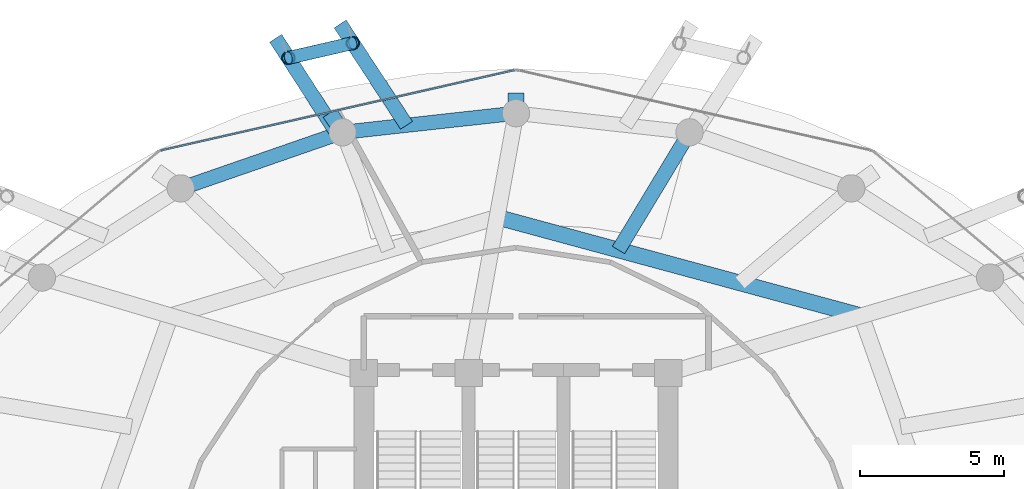
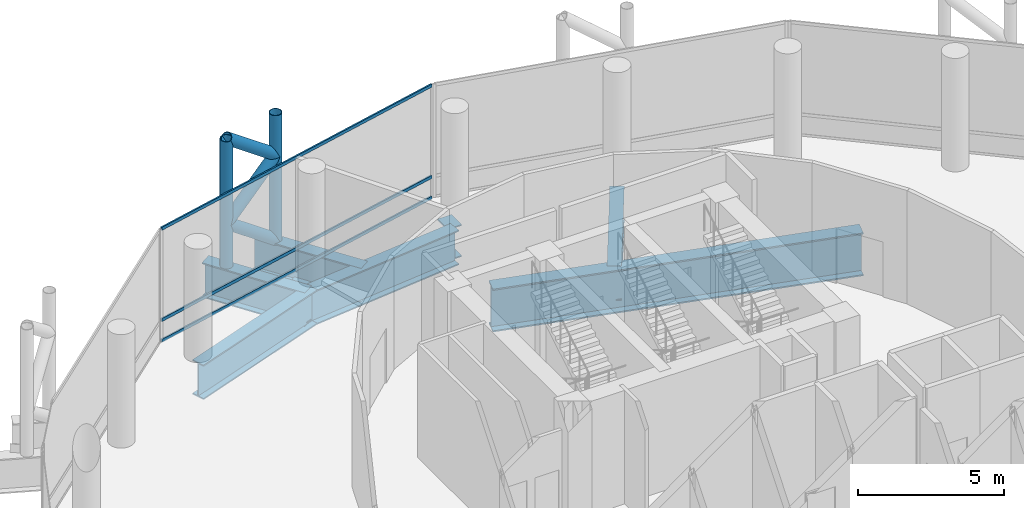
# One storey, part 16 of 29: 8 beams, 8 members, 1 element without a shape of its own.
"""IFC4 building model written with IfcOpenShell, lengths in metres."""

from ifc_helpers import new_model, si_unit, direction, frame, origin, origin_2d, place, context, subcontext, project, spatial, hollow_rectangle, hollow_circle, i_section, extrude, material, layer, layer_set, material_profile, profile_set, type_object, element, aggregate, save


model = new_model("IFC4")

# Units and contexts
model_context = context("Model", 3, precision=1e-05, world=origin(), true_north=direction((0.0, 1.0)))
body_context = subcontext(model_context, "Body", "Model", "MODEL_VIEW")
ifc_project = project(units=[si_unit("LENGTHUNIT", "METRE"), si_unit("AREAUNIT", "SQUARE_METRE"), si_unit("VOLUMEUNIT", "CUBIC_METRE"), si_unit("PLANEANGLEUNIT", "RADIAN"), si_unit("MASSUNIT", "GRAM", prefix="KILO")], contexts=[model_context])

# Site, building, storey
site_placement = place(None, origin())
site = spatial("IfcSite", under=ifc_project, at=site_placement, CompositionType="ELEMENT")
building_placement = place(site_placement, origin())
building = spatial("IfcBuilding", under=site, at=building_placement, Name="Nuhasar Tower", CompositionType="ELEMENT")
storey_placement = place(building_placement, frame((0.0, 0.0, 113.25)))
storey = spatial("IfcBuildingStorey", under=building, at=storey_placement, Name="L26", CompositionType="ELEMENT", Elevation=113.25)

# Beams
ifc_material_1 = material(Name="Steel S460", Category="steel")
ifc_material_profile_1 = material_profile(ifc_material_1, i_section(OverallWidth=0.550048828125, OverallDepth=1.35009765625, WebThickness=0.028076171875, FlangeThickness=0.050048828125, at=origin_2d()), Name="PG1350X550")
ifc_profile_set_1 = profile_set([ifc_material_profile_1], Name="Steel S460")
beam_type_1 = type_object("IfcBeamType", Name="BM-XFER-PG1350", PredefinedType="USERDEFINED", material=ifc_profile_set_1)
beam_1_placement = place(storey_placement, frame((39.0, 46.35009765625, -0.9951171875), z_axis=(0.0, 1.0, 0.0), x_axis=(-1.0, 0.0, 0.0)))
element("IfcBeam", 1, at=beam_1_placement, inside=storey, type_object=beam_type_1, Name="L26 Radial Step Transfer Girder 06", ObjectType="GIRDER", PredefinedType="USERDEFINED", context=body_context, shape_type="SweptSolid", body=[
    extrude(i_section(OverallWidth=0.550048828125, OverallDepth=1.35009765625, WebThickness=0.028076171875, FlangeThickness=0.050048828125, at=origin_2d()), origin(), (0.0, 0.0, 1.0), 0.699951171875),
])
beam_2_placement = place(storey_placement, frame((32.95703125, 45.68408203125, -0.9951171875), z_axis=(-0.545445760903, 0.838146122053, 0.0), x_axis=(-0.838146122053, -0.545445760903, 0.0)))
element("IfcBeam", 2, at=beam_2_placement, inside=storey, type_object=beam_type_1, Name="L26 Outer Column Step Transfer Girder 08", ObjectType="GIRDER", PredefinedType="USERDEFINED", context=body_context, shape_type="SweptSolid", body=[
    extrude(i_section(OverallWidth=0.550048828125, OverallDepth=1.35009765625, WebThickness=0.028076171875, FlangeThickness=0.050048828125, at=origin_2d()), origin(), (0.0, 0.0, 1.0), 0.806640625),
])
ifc_material_profile_2 = material_profile(ifc_material_1, i_section(OverallWidth=0.5, OverallDepth=1.449951171875, WebThickness=0.028076171875, FlangeThickness=0.050048828125, at=origin_2d()), Name="PG1450X500")
ifc_profile_set_2 = profile_set([ifc_material_profile_2], Name="Steel S460")
beam_type_2 = type_object("IfcBeamType", Name="BM-XFER-PG1450", PredefinedType="USERDEFINED", material=ifc_profile_set_2)
beam_3_placement = place(storey_placement, frame((39.0, 46.35009765625, -1.044921875), z_axis=(-0.993981289157, -0.109549974015, 0.0), x_axis=(0.109549974015, -0.993981289157, 0.0)))
element("IfcBeam", 3, at=beam_3_placement, inside=storey, type_object=beam_type_2, Name="L26 Perimeter Ring Spandrel 07", ObjectType="GIRDER", PredefinedType="USERDEFINED", context=body_context, shape_type="SweptSolid", body=[
    extrude(i_section(OverallWidth=0.5, OverallDepth=1.449951171875, WebThickness=0.028076171875, FlangeThickness=0.050048828125, at=origin_2d()), origin(), (0.0, 0.0, 1.0), 6.07958984375),
])
beam_4_placement = place(storey_placement, frame((32.95703125, 45.68408203125, -1.044921875), z_axis=(-0.944801380051, -0.327643636066, 0.0), x_axis=(0.327643636066, -0.944801380051, 0.0)))
element("IfcBeam", 4, at=beam_4_placement, inside=storey, type_object=beam_type_2, Name="L26 Perimeter Ring Spandrel 08", ObjectType="GIRDER", PredefinedType="USERDEFINED", context=body_context, shape_type="SweptSolid", body=[
    extrude(i_section(OverallWidth=0.5, OverallDepth=1.449951171875, WebThickness=0.028076171875, FlangeThickness=0.050048828125, at=origin_2d()), origin(), (0.0, 0.0, 1.0), 5.961181640625),
])
beam_5_placement = place(storey_placement, frame((42.569091796875, 41.5849609375, -1.044921875), z_axis=(0.516706214587, 0.856162769458, 0.0), x_axis=(-0.856162769458, 0.516706214587, 0.0)))
element("IfcBeam", 5, at=beam_5_placement, inside=storey, type_object=beam_type_2, Name="L26 Inner Column Transfer Girder 06", ObjectType="GIRDER", PredefinedType="USERDEFINED", context=body_context, shape_type="SweptSolid", body=[
    extrude(i_section(OverallWidth=0.5, OverallDepth=1.449951171875, WebThickness=0.028076171875, FlangeThickness=0.050048828125, at=origin_2d()), origin(), (0.0, 0.0, 1.0), 4.787841796875),
])
beam_6_placement = place(storey_placement, frame((35.18701171875, 45.929931640625, -1.044921875), z_axis=(-0.547843326941, 0.836580951926, 0.0), x_axis=(-0.836580951926, -0.547843326941, 0.0)))
element("IfcBeam", 6, at=beam_6_placement, inside=storey, type_object=beam_type_2, Name="L26 Exoskeleton Step Transfer Girder 07", ObjectType="GIRDER", PredefinedType="USERDEFINED", context=body_context, shape_type="SweptSolid", body=[
    extrude(i_section(OverallWidth=0.5, OverallDepth=1.449951171875, WebThickness=0.028076171875, FlangeThickness=0.050048828125, at=origin_2d()), origin(), (0.0, 0.0, 1.0), 4.218505859375),
])
beam_7_placement = place(storey_placement, frame((32.784912109375, 45.6240234375, -1.044921875), z_axis=(-0.542626647009, 0.839974000762, 0.0), x_axis=(-0.839974000762, -0.542626647009, 0.0)))
element("IfcBeam", 7, at=beam_7_placement, inside=storey, type_object=beam_type_2, Name="L26 Exoskeleton Step Transfer Girder 08", ObjectType="GIRDER", PredefinedType="USERDEFINED", context=body_context, shape_type="SweptSolid", body=[
    extrude(i_section(OverallWidth=0.5, OverallDepth=1.449951171875, WebThickness=0.028076171875, FlangeThickness=0.050048828125, at=origin_2d()), origin(), (0.0, 0.0, 1.0), 3.971435546875),
])
ifc_material_profile_3 = material_profile(ifc_material_1, i_section(OverallWidth=0.550048828125, OverallDepth=1.800048828125, WebThickness=0.031982421875, FlangeThickness=0.054931640625, at=origin_2d()), Name="PG1800X550")
ifc_profile_set_3 = profile_set([ifc_material_profile_3], Name="Steel S460")
beam_type_3 = type_object("IfcBeamType", Name="BM-XFER-PG1800", PredefinedType="USERDEFINED", material=ifc_profile_set_3)
beam_8_placement = place(storey_placement, frame((51.027099609375, 39.2939453125, -1.219970703125), z_axis=(-0.96522695776, 0.261413312618, 0.0), x_axis=(-0.261413312618, -0.96522695776, 0.0)))
element("IfcBeam", 8, at=beam_8_placement, inside=storey, type_object=beam_type_3, Name="L26 Inner Header Beam 05", ObjectType="GIRDER", PredefinedType="USERDEFINED", context=body_context, shape_type="SweptSolid", body=[
    extrude(i_section(OverallWidth=0.550048828125, OverallDepth=1.800048828125, WebThickness=0.031982421875, FlangeThickness=0.054931640625, at=origin_2d()), origin(), (0.0, 0.0, 1.0), 13.14404296875),
])

# Curtain wall, members
ifc_material_2 = material(Name="Aluminium 6063-T6", Category="aluminium")
ifc_layer = layer(ifc_material_2, 0.239990234375)
ifc_layer_set = layer_set([ifc_layer], Name="Aluminium 6063-T6")
curtain_wall_type = type_object("IfcCurtainWallType", Name="CW-SKY-LBY", PredefinedType="NOTDEFINED", material=ifc_layer_set)
curtain_wall_placement = place(storey_placement, origin())
curtain_wall = element("IfcCurtainWall", 9, at=curtain_wall_placement, inside=storey, type_object=curtain_wall_type, Name="L26 Unitised Curtain Wall 04", PredefinedType="NOTDEFINED")
ifc_material_profile_4 = material_profile(ifc_material_2, hollow_rectangle(XDim=0.06005859375, YDim=0.1298828125, WallThickness=0.00439453125, at=origin_2d()), Name="CWT-6")
ifc_profile_set_4 = profile_set([ifc_material_profile_4], Name="Aluminium 6063-T6")
member_type_1 = type_object("IfcMemberType", Name="CW-TRN-S6", PredefinedType="USERDEFINED", material=ifc_profile_set_4)
member_1_placement = place(storey_placement, frame((38.94140625, 47.8466796875, 0.030029296875), z_axis=(-0.975184113365, -0.221395449459, 0.0), x_axis=(0.221395449459, -0.975184113365, 0.0)))
member_1 = element("IfcMember", 10, at=member_1_placement, type_object=member_type_1, Name="CW-SL transom 1.1", ObjectType="TRANSOM", PredefinedType="USERDEFINED", context=body_context, shape_type="SweptSolid", body=[
    extrude(hollow_rectangle(XDim=0.06005859375, YDim=0.1298828125, WallThickness=0.00439453125, at=origin_2d()), origin(), (0.0, 0.0, 1.0), 12.626220703125),
])
member_2_placement = place(storey_placement, frame((38.94140625, 47.8466796875, 0.89990234375), z_axis=(-0.975184113365, -0.221395449459, 0.0), x_axis=(0.221395449459, -0.975184113365, 0.0)))
member_2 = element("IfcMember", 11, at=member_2_placement, type_object=member_type_1, Name="CW-SL transom 1.2", ObjectType="TRANSOM", PredefinedType="USERDEFINED", context=body_context, shape_type="SweptSolid", body=[
    extrude(hollow_rectangle(XDim=0.06005859375, YDim=0.1298828125, WallThickness=0.00439453125, at=origin_2d()), origin(), (0.0, 0.0, 1.0), 12.626220703125),
])
member_3_placement = place(storey_placement, frame((38.94140625, 47.8466796875, 4.719970703125), z_axis=(-0.975184113365, -0.221395449459, 0.0), x_axis=(0.221395449459, -0.975184113365, 0.0)))
member_3 = element("IfcMember", 12, at=member_3_placement, type_object=member_type_1, Name="CW-SL transom 1.3", ObjectType="TRANSOM", PredefinedType="USERDEFINED", context=body_context, shape_type="SweptSolid", body=[
    extrude(hollow_rectangle(XDim=0.06005859375, YDim=0.1298828125, WallThickness=0.00439453125, at=origin_2d()), origin(), (0.0, 0.0, 1.0), 12.626220703125),
])
aggregate(curtain_wall, [member_1, member_2, member_3])

# Members
ifc_material_profile_5 = material_profile(ifc_material_1, hollow_circle(Radius=0.228515625, WallThickness=0.022216796875, at=origin_2d()), Name="HSS457X22.2")
ifc_profile_set_5 = profile_set([ifc_material_profile_5], Name="Steel S460")
member_type_2 = type_object("IfcMemberType", Name="EXO-BRONZE-457", PredefinedType="BRACE", material=ifc_profile_set_5)
for number, where, z_axis, x_axis, name in (
    (13, (33.31396484375, 48.7900390625, -0.320068359375), (0.0, 0.0, 1.0), (1.0, 0.0, 0.0), "L26 Exoskeleton Chord Column EC-04A"),
    (14, (31.072021484375, 48.27587890625, -0.320068359375), (0.0, 0.0, 1.0), (1.0, 0.0, 0.0), "L26 Exoskeleton Chord Column EC-04B"),
):
    element("IfcMember", number, at=place(storey_placement, frame(where, z_axis=z_axis, x_axis=x_axis)), inside=storey, type_object=member_type_2, Name=name, PredefinedType="BRACE", context=body_context, shape_type="SweptSolid", body=[
        extrude(hollow_circle(Radius=0.228515625, WallThickness=0.022216796875, at=origin_2d()), origin(), (0.0, 0.0, 1.0), 5.320068359375),
    ])
member_4_placement = place(storey_placement, frame((33.31396484375, 48.7900390625, -0.320068359375), z_axis=(-0.771982281826, -0.177043960092, 0.610490616424), x_axis=(0.223533724104, -0.974696195842, 0.0)))
element("IfcMember", 15, at=member_4_placement, inside=storey, type_object=member_type_2, Name="L26 Bronze Diagrid Brace W1-04", PredefinedType="BRACE", context=body_context, shape_type="SweptSolid", body=[
    extrude(hollow_circle(Radius=0.228515625, WallThickness=0.022216796875, at=origin_2d()), origin(), (0.0, 0.0, 1.0), 2.904052734375),
])
member_5_placement = place(storey_placement, frame((31.072021484375, 48.27587890625, 1.452880859375), z_axis=(0.771784192361, 0.176998530885, 0.610754189904), x_axis=(-0.223533724104, 0.974696195842, 0.0)))
element("IfcMember", 16, at=member_5_placement, inside=storey, type_object=member_type_2, Name="L26 Bronze Diagrid Brace W2-04", PredefinedType="BRACE", context=body_context, shape_type="SweptSolid", body=[
    extrude(hollow_circle(Radius=0.228515625, WallThickness=0.022216796875, at=origin_2d()), origin(), (0.0, 0.0, 1.0), 2.90478515625),
])
member_6_placement = place(storey_placement, frame((33.31396484375, 48.7900390625, 3.22705078125), z_axis=(-0.771982281826, -0.177043960092, 0.610490616424), x_axis=(0.223533724104, -0.974696195842, 0.0)))
element("IfcMember", 17, at=member_6_placement, inside=storey, type_object=member_type_2, Name="L26 Bronze Diagrid Brace W3-04", PredefinedType="BRACE", context=body_context, shape_type="SweptSolid", body=[
    extrude(hollow_circle(Radius=0.228515625, WallThickness=0.022216796875, at=origin_2d()), origin(), (0.0, 0.0, 1.0), 2.904052734375),
])

save(model, "model.ifc")
